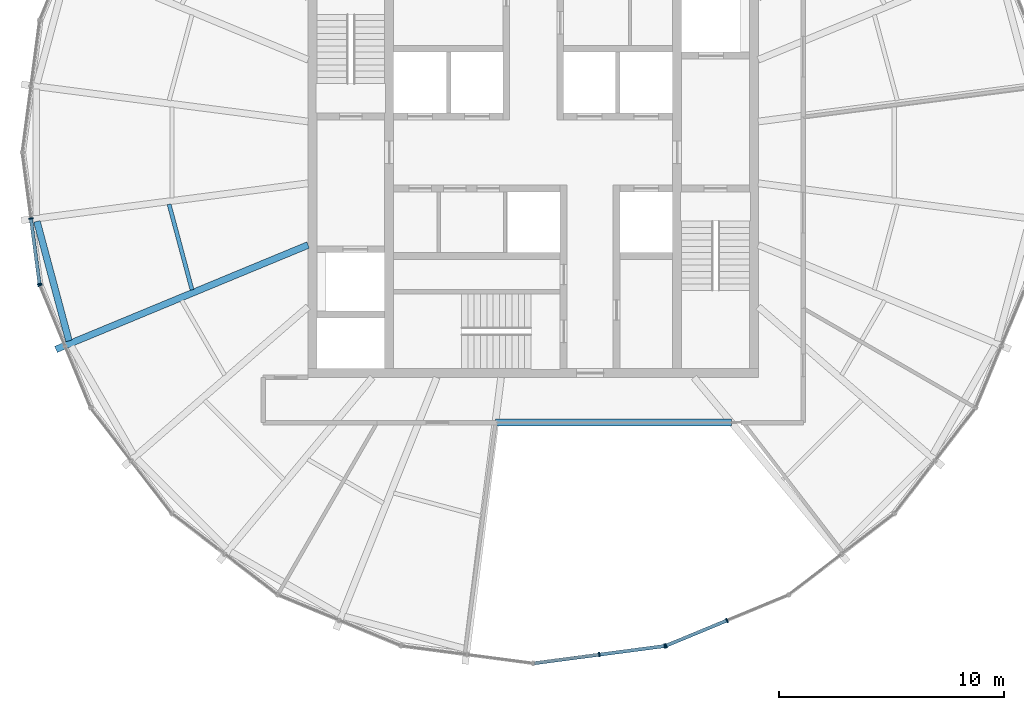
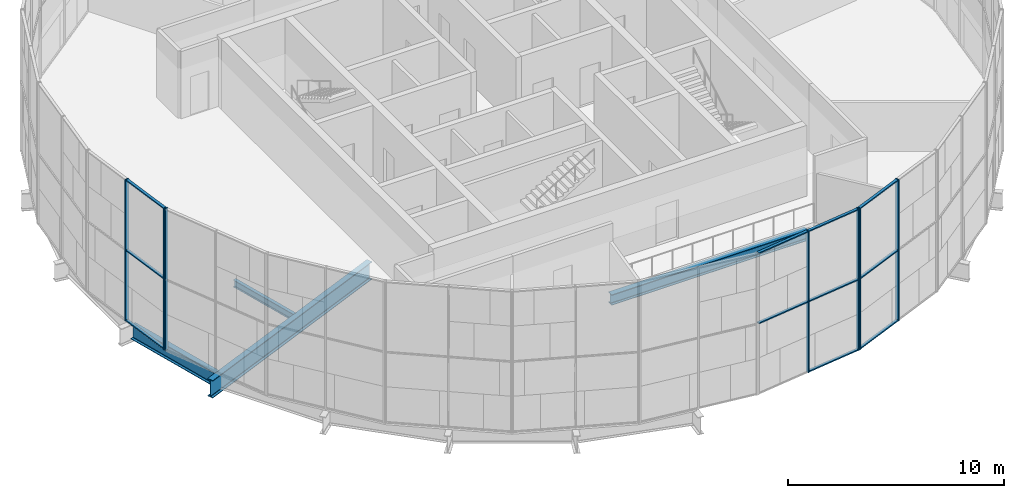
# One storey, part 2 of 19: 18 members, 4 beams, 4 elements without a shape of their own.
"""IFC4 building model written with IfcOpenShell, lengths in metres."""

from ifc_helpers import new_model, si_unit, direction, frame, origin, origin_2d, place, context, subcontext, project, spatial, rectangle, i_section, extrude, material, material_profile, profile_set, type_object, element, aggregate, save


model = new_model("IFC4")

# Units and contexts
model_context = context("Model", 3, precision=1e-05, world=origin(), true_north=direction((0.0, 1.0)))
body_context = subcontext(model_context, "Body", "Model", "MODEL_VIEW")
ifc_project = project(units=[si_unit("LENGTHUNIT", "METRE"), si_unit("AREAUNIT", "SQUARE_METRE"), si_unit("VOLUMEUNIT", "CUBIC_METRE"), si_unit("PLANEANGLEUNIT", "RADIAN"), si_unit("MASSUNIT", "GRAM", prefix="KILO")], contexts=[model_context])

# Site, building, storey
site_placement = place(None, origin())
site = spatial("IfcSite", under=ifc_project, at=site_placement, CompositionType="ELEMENT")
building_placement = place(site_placement, origin())
building = spatial("IfcBuilding", under=site, at=building_placement, Name="Golbaran Civic Tower", CompositionType="ELEMENT")
storey_placement = place(building_placement, frame((0.0, 0.0, 240.0)))
storey = spatial("IfcBuildingStorey", under=building, at=storey_placement, Name="L58", CompositionType="ELEMENT", Elevation=240.0)

# Beams
ifc_material_1 = material(Name="Steel S355", Category="steel")
ifc_material_profile_1 = material_profile(ifc_material_1, i_section(OverallWidth=0.300048828125, OverallDepth=0.800048828125, WebThickness=0.017578125, FlangeThickness=0.032958984375, FilletRadius=0.030029296875, at=origin_2d()), Name="HEB 800")
ifc_profile_set_1 = profile_set([ifc_material_profile_1], Name="Steel S355")
beam_type_1 = type_object("IfcBeamType", Name="EDGE BEAM HEB 800", PredefinedType="BEAM", material=ifc_profile_set_1)
beam_1_placement = place(storey_placement, frame((-22.04736328125, -3.064453125, -0.60009765625), z_axis=(0.258893020744, -0.96590600154, 0.0), x_axis=(0.96590600154, 0.258893020744, 0.0)))
element("IfcBeam", 1, at=beam_1_placement, inside=storey, type_object=beam_type_1, Name="Edge beam 187.57 L58", PredefinedType="BEAM", context=body_context, shape_type="SweptSolid", body=[
    extrude(i_section(OverallWidth=0.300048828125, OverallDepth=0.800048828125, WebThickness=0.017578125, FlangeThickness=0.032958984375, FilletRadius=0.030029296875, at=origin_2d()), origin(), (0.0, 0.0, 1.0), 5.494873046875),
])
ifc_material_profile_2 = material_profile(ifc_material_1, i_section(OverallWidth=0.179931640625, OverallDepth=0.39990234375, WebThickness=0.008544921875, FlangeThickness=0.013427734375, FilletRadius=0.02099609375, at=origin_2d()), Name="IPE 400")
ifc_profile_set_2 = profile_set([ifc_material_profile_2], Name="Steel S355")
beam_type_2 = type_object("IfcBeamType", Name="FLOOR INFILL BEAM IPE 400", PredefinedType="BEAM", material=ifc_profile_set_2)
beam_2_placement = place(storey_placement, frame((-16.176025390625, -2.30322265625, -0.39990234375), z_axis=(0.258819729531, -0.965925642897, 0.0), x_axis=(0.965925642897, 0.258819729531, 0.0)))
element("IfcBeam", 2, at=beam_2_placement, inside=storey, type_object=beam_type_2, Name="Infill beam 195.00 L58", PredefinedType="BEAM", context=body_context, shape_type="SweptSolid", body=[
    extrude(i_section(OverallWidth=0.179931640625, OverallDepth=0.39990234375, WebThickness=0.008544921875, FlangeThickness=0.013427734375, FilletRadius=0.02099609375, at=origin_2d()), origin(), (0.0, 0.0, 1.0), 3.939208984375),
])
ifc_material_profile_3 = material_profile(ifc_material_1, i_section(OverallWidth=0.300048828125, OverallDepth=0.60009765625, WebThickness=0.015380859375, FlangeThickness=0.030029296875, FilletRadius=0.027099609375, at=origin_2d()), Name="HEB 600")
ifc_profile_set_3 = profile_set([ifc_material_profile_3], Name="Steel S355")
beam_type_3 = type_object("IfcBeamType", Name="GARDEN CHORD TRIMMER HEB 600", PredefinedType="BEAM", material=ifc_profile_set_3)
beam_3_placement = place(storey_placement, frame((-1.67919921875, -12.0, -0.5), z_axis=(1.0, 0.0, 0.0), x_axis=(0.0, 1.0, 0.0)))
element("IfcBeam", 3, at=beam_3_placement, inside=storey, type_object=beam_type_3, Name="Garden void trimmer L58", PredefinedType="BEAM", context=body_context, shape_type="SweptSolid", body=[
    extrude(i_section(OverallWidth=0.300048828125, OverallDepth=0.60009765625, WebThickness=0.015380859375, FlangeThickness=0.030029296875, FilletRadius=0.027099609375, at=origin_2d()), origin(), (0.0, 0.0, 1.0), 10.48876953125),
])

# Curtain wall, members
ifc_material_2 = material(Name="Aluminium and glass", Category="aluminium")
curtain_wall_type = type_object("IfcCurtainWallType", Name="INNER SKIN CURTAIN WALL EXECUTIVE", PredefinedType="NOTDEFINED", material=ifc_material_2)
curtain_wall_1_placement = place(storey_placement, origin())
curtain_wall_1 = element("IfcCurtainWall", 4, at=curtain_wall_1_placement, inside=storey, type_object=curtain_wall_type, Name="Inner skin L58 facet 13 CW2", ObjectType="INNER SKIN", PredefinedType="USERDEFINED")
ifc_material_3 = material(Name="Aluminium", Category="aluminium")
ifc_material_profile_4 = material_profile(ifc_material_3, rectangle(XDim=0.199951171875, YDim=0.06005859375, at=origin_2d()), Name="INNER SKIN CURTAIN WALL EXECUTIVE MULLION")
ifc_profile_set_4 = profile_set([ifc_material_profile_4], Name="Aluminium")
member_type_1 = type_object("IfcMemberType", Name="INNER SKIN CURTAIN WALL EXECUTIVE MULLION", PredefinedType="MULLION", material=ifc_profile_set_4)
member_1_placement = place(storey_placement, frame((-22.313232421875, -2.9375, 0.0), z_axis=(0.0, 0.0, 1.0), x_axis=(0.991444861381, 0.130526192168, 0.0)))
member_1 = element("IfcMember", 5, at=member_1_placement, type_object=member_type_1, Name="CW2 mullion 2", PredefinedType="MULLION", context=body_context, shape_type="SweptSolid", body=[
    extrude(rectangle(XDim=0.199951171875, YDim=0.06005859375, at=origin_2d()), origin(), (0.0, 0.0, 1.0), 8.0),
])
member_2_placement = place(storey_placement, frame((-21.930419921875, -5.845458984375, 0.0), z_axis=(0.0, 0.0, 1.0), x_axis=(0.991444861381, 0.130526192168, 0.0)))
member_2 = element("IfcMember", 6, at=member_2_placement, type_object=member_type_1, Name="CW2 mullion 3", PredefinedType="MULLION", context=body_context, shape_type="SweptSolid", body=[
    extrude(rectangle(XDim=0.199951171875, YDim=0.06005859375, at=origin_2d()), origin(), (0.0, 0.0, 1.0), 8.0),
])

# Curtain wall, member
curtain_wall_2_placement = place(storey_placement, origin())
curtain_wall_2 = element("IfcCurtainWall", 7, at=curtain_wall_2_placement, inside=storey, type_object=curtain_wall_type, Name="Inner skin L58 facet 14 CW2", ObjectType="INNER SKIN", PredefinedType="USERDEFINED")
member_3_placement = place(storey_placement, frame((-21.9150390625, -5.90283203125, 0.0), z_axis=(0.0, 0.0, 1.0), x_axis=(0.923879532498, 0.382683432397, 0.0)))
member_3 = element("IfcMember", 8, at=member_3_placement, type_object=member_type_1, Name="CW2 mullion 1", PredefinedType="MULLION", context=body_context, shape_type="SweptSolid", body=[
    extrude(rectangle(XDim=0.199951171875, YDim=0.06005859375, at=origin_2d()), origin(), (0.0, 0.0, 1.0), 8.0),
])
aggregate(curtain_wall_2, [member_3])

# Curtain wall, members
curtain_wall_3_placement = place(storey_placement, origin())
curtain_wall_3 = element("IfcCurtainWall", 9, at=curtain_wall_3_placement, inside=storey, type_object=curtain_wall_type, Name="Inner skin L58 facet 19 CW2", ObjectType="INNER SKIN", PredefinedType="USERDEFINED")
member_4_placement = place(storey_placement, frame((2.9375, -22.313232421875, 0.0), z_axis=(0.0, 0.0, 1.0), x_axis=(-0.130526192168, 0.991444861381, 0.0)))
member_4 = element("IfcMember", 10, at=member_4_placement, type_object=member_type_1, Name="CW2 mullion 2", PredefinedType="MULLION", context=body_context, shape_type="SweptSolid", body=[
    extrude(rectangle(XDim=0.199951171875, YDim=0.06005859375, at=origin_2d()), origin(), (0.0, 0.0, 1.0), 8.0),
])
member_5_placement = place(storey_placement, frame((5.845458984375, -21.930419921875, 0.0), z_axis=(0.0, 0.0, 1.0), x_axis=(-0.130526192168, 0.991444861381, 0.0)))
member_5 = element("IfcMember", 11, at=member_5_placement, type_object=member_type_1, Name="CW2 mullion 3", PredefinedType="MULLION", context=body_context, shape_type="SweptSolid", body=[
    extrude(rectangle(XDim=0.199951171875, YDim=0.06005859375, at=origin_2d()), origin(), (0.0, 0.0, 1.0), 8.0),
])

curtain_wall_4_placement = place(storey_placement, origin())
curtain_wall_4 = element("IfcCurtainWall", 12, at=curtain_wall_4_placement, inside=storey, type_object=curtain_wall_type, Name="Inner skin L58 facet 20 CW2", ObjectType="INNER SKIN", PredefinedType="USERDEFINED")
member_6_placement = place(storey_placement, frame((5.90283203125, -21.9150390625, 0.0), z_axis=(0.0, 0.0, 1.0), x_axis=(-0.382683432397, 0.923879532498, 0.0)))
member_6 = element("IfcMember", 13, at=member_6_placement, type_object=member_type_1, Name="CW2 mullion 1", PredefinedType="MULLION", context=body_context, shape_type="SweptSolid", body=[
    extrude(rectangle(XDim=0.199951171875, YDim=0.06005859375, at=origin_2d()), origin(), (0.0, 0.0, 1.0), 8.0),
])
member_7_placement = place(storey_placement, frame((8.612548828125, -20.792724609375, 0.0), z_axis=(0.0, 0.0, 1.0), x_axis=(-0.382683432397, 0.923879532498, 0.0)))
member_7 = element("IfcMember", 14, at=member_7_placement, type_object=member_type_1, Name="CW2 mullion 2", PredefinedType="MULLION", context=body_context, shape_type="SweptSolid", body=[
    extrude(rectangle(XDim=0.199951171875, YDim=0.06005859375, at=origin_2d()), origin(), (0.0, 0.0, 1.0), 8.0),
])

# Member
ifc_material_profile_5 = material_profile(ifc_material_3, rectangle(XDim=0.14990234375, YDim=0.06005859375, at=origin_2d()), Name="INNER SKIN CURTAIN WALL EXECUTIVE TRANSOM")
ifc_profile_set_5 = profile_set([ifc_material_profile_5], Name="Aluminium")
member_type_2 = type_object("IfcMemberType", Name="INNER SKIN CURTAIN WALL EXECUTIVE TRANSOM", PredefinedType="USERDEFINED", material=ifc_profile_set_5)
member_8_placement = place(storey_placement, frame((-22.309326171875, -2.96728515625, 0.030029296875), z_axis=(0.130527053476, -0.991444747987, 0.0), x_axis=(0.991444747987, 0.130527053476, 0.0)))
member_8 = element("IfcMember", 15, at=member_8_placement, type_object=member_type_2, Name="CW2 transom 2.1", ObjectType="TRANSOM", PredefinedType="USERDEFINED", context=body_context, shape_type="SweptSolid", body=[
    extrude(rectangle(XDim=0.14990234375, YDim=0.06005859375, at=origin_2d()), origin(), (0.0, 0.0, 1.0), 2.873046875),
])

member_9_placement = place(storey_placement, frame((-22.309326171875, -2.96728515625, 4.0), z_axis=(0.130527053476, -0.991444747987, 0.0), x_axis=(0.991444747987, 0.130527053476, 0.0)))
member_9 = element("IfcMember", 16, at=member_9_placement, type_object=member_type_2, Name="CW2 transom 2.2", ObjectType="TRANSOM", PredefinedType="USERDEFINED", context=body_context, shape_type="SweptSolid", body=[
    extrude(rectangle(XDim=0.14990234375, YDim=0.06005859375, at=origin_2d()), origin(), (0.0, 0.0, 1.0), 2.873046875),
])

member_10_placement = place(storey_placement, frame((-22.309326171875, -2.96728515625, 7.969970703125), z_axis=(0.130527053476, -0.991444747987, 0.0), x_axis=(0.991444747987, 0.130527053476, 0.0)))
member_10 = element("IfcMember", 17, at=member_10_placement, type_object=member_type_2, Name="CW2 transom 2.3", ObjectType="TRANSOM", PredefinedType="USERDEFINED", context=body_context, shape_type="SweptSolid", body=[
    extrude(rectangle(XDim=0.14990234375, YDim=0.06005859375, at=origin_2d()), origin(), (0.0, 0.0, 1.0), 2.873046875),
])

aggregate(curtain_wall_1, [member_1, member_2, member_8, member_9, member_10])

member_11_placement = place(storey_placement, frame((0.0595703125, -22.692138671875, 4.0), z_axis=(0.991444747987, 0.130527053476, 0.0), x_axis=(-0.130527053476, 0.991444747987, 0.0)))
member_11 = element("IfcMember", 18, at=member_11_placement, type_object=member_type_2, Name="CW2 transom 1.2", ObjectType="TRANSOM", PredefinedType="USERDEFINED", context=body_context, shape_type="SweptSolid", body=[
    extrude(rectangle(XDim=0.14990234375, YDim=0.06005859375, at=origin_2d()), origin(), (0.0, 0.0, 1.0), 2.873046875),
])

member_12_placement = place(storey_placement, frame((0.0595703125, -22.692138671875, 7.969970703125), z_axis=(0.991444747987, 0.130527053476, 0.0), x_axis=(-0.130527053476, 0.991444747987, 0.0)))
member_12 = element("IfcMember", 19, at=member_12_placement, type_object=member_type_2, Name="CW2 transom 1.3", ObjectType="TRANSOM", PredefinedType="USERDEFINED", context=body_context, shape_type="SweptSolid", body=[
    extrude(rectangle(XDim=0.14990234375, YDim=0.06005859375, at=origin_2d()), origin(), (0.0, 0.0, 1.0), 2.873046875),
])

member_13_placement = place(storey_placement, frame((2.96728515625, -22.309326171875, 0.030029296875), z_axis=(0.991444747987, 0.130527053476, 0.0), x_axis=(-0.130527053476, 0.991444747987, 0.0)))
member_13 = element("IfcMember", 20, at=member_13_placement, type_object=member_type_2, Name="CW2 transom 2.1", ObjectType="TRANSOM", PredefinedType="USERDEFINED", context=body_context, shape_type="SweptSolid", body=[
    extrude(rectangle(XDim=0.14990234375, YDim=0.06005859375, at=origin_2d()), origin(), (0.0, 0.0, 1.0), 2.873046875),
])

member_14_placement = place(storey_placement, frame((2.96728515625, -22.309326171875, 4.0), z_axis=(0.991444747987, 0.130527053476, 0.0), x_axis=(-0.130527053476, 0.991444747987, 0.0)))
member_14 = element("IfcMember", 21, at=member_14_placement, type_object=member_type_2, Name="CW2 transom 2.2", ObjectType="TRANSOM", PredefinedType="USERDEFINED", context=body_context, shape_type="SweptSolid", body=[
    extrude(rectangle(XDim=0.14990234375, YDim=0.06005859375, at=origin_2d()), origin(), (0.0, 0.0, 1.0), 2.873046875),
])

member_15_placement = place(storey_placement, frame((2.96728515625, -22.309326171875, 7.969970703125), z_axis=(0.991444747987, 0.130527053476, 0.0), x_axis=(-0.130527053476, 0.991444747987, 0.0)))
member_15 = element("IfcMember", 22, at=member_15_placement, type_object=member_type_2, Name="CW2 transom 2.3", ObjectType="TRANSOM", PredefinedType="USERDEFINED", context=body_context, shape_type="SweptSolid", body=[
    extrude(rectangle(XDim=0.14990234375, YDim=0.06005859375, at=origin_2d()), origin(), (0.0, 0.0, 1.0), 2.873046875),
])

aggregate(curtain_wall_3, [member_4, member_5, member_11, member_12, member_13, member_14, member_15])

member_16_placement = place(storey_placement, frame((5.9306640625, -21.903564453125, 0.030029296875), z_axis=(0.923889442397, 0.382659506909, 0.0), x_axis=(-0.382659506909, 0.923889442397, 0.0)))
member_16 = element("IfcMember", 23, at=member_16_placement, type_object=member_type_2, Name="CW2 transom 1.1", ObjectType="TRANSOM", PredefinedType="USERDEFINED", context=body_context, shape_type="SweptSolid", body=[
    extrude(rectangle(XDim=0.14990234375, YDim=0.06005859375, at=origin_2d()), origin(), (0.0, 0.0, 1.0), 2.873046875),
])

member_17_placement = place(storey_placement, frame((5.9306640625, -21.903564453125, 4.0), z_axis=(0.923889442397, 0.382659506909, 0.0), x_axis=(-0.382659506909, 0.923889442397, 0.0)))
member_17 = element("IfcMember", 24, at=member_17_placement, type_object=member_type_2, Name="CW2 transom 1.2", ObjectType="TRANSOM", PredefinedType="USERDEFINED", context=body_context, shape_type="SweptSolid", body=[
    extrude(rectangle(XDim=0.14990234375, YDim=0.06005859375, at=origin_2d()), origin(), (0.0, 0.0, 1.0), 2.873046875),
])

member_18_placement = place(storey_placement, frame((5.9306640625, -21.903564453125, 7.969970703125), z_axis=(0.923889442397, 0.382659506909, 0.0), x_axis=(-0.382659506909, 0.923889442397, 0.0)))
member_18 = element("IfcMember", 25, at=member_18_placement, type_object=member_type_2, Name="CW2 transom 1.3", ObjectType="TRANSOM", PredefinedType="USERDEFINED", context=body_context, shape_type="SweptSolid", body=[
    extrude(rectangle(XDim=0.14990234375, YDim=0.06005859375, at=origin_2d()), origin(), (0.0, 0.0, 1.0), 2.873046875),
])

aggregate(curtain_wall_4, [member_6, member_7, member_16, member_17, member_18])

# Beam
ifc_material_profile_6 = material_profile(ifc_material_1, i_section(OverallWidth=0.300048828125, OverallDepth=1.0, WebThickness=0.01904296875, FlangeThickness=0.035888671875, FilletRadius=0.030029296875, at=origin_2d()), Name="HEB 1000")
ifc_profile_set_6 = profile_set([ifc_material_profile_6], Name="Steel S355")
beam_type_4 = type_object("IfcBeamType", Name="RADIAL FLOOR BEAM HEB 1000", PredefinedType="BEAM", material=ifc_profile_set_6)
beam_4_placement = place(storey_placement, frame((-10.0, -4.1142578125, -0.7099609375), z_axis=(-0.92394983579, -0.382513661119, 0.0), x_axis=(0.382513661119, -0.92394983579, 0.0)))
element("IfcBeam", 26, at=beam_4_placement, inside=storey, type_object=beam_type_4, Name="Radial beam 202.43 L58", PredefinedType="BEAM", context=body_context, shape_type="SweptSolid", body=[
    extrude(i_section(OverallWidth=0.300048828125, OverallDepth=1.0, WebThickness=0.01904296875, FlangeThickness=0.035888671875, FilletRadius=0.030029296875, at=origin_2d()), origin(), (0.0, 0.0, 1.0), 12.122314453125),
])

save(model, "model.ifc")
